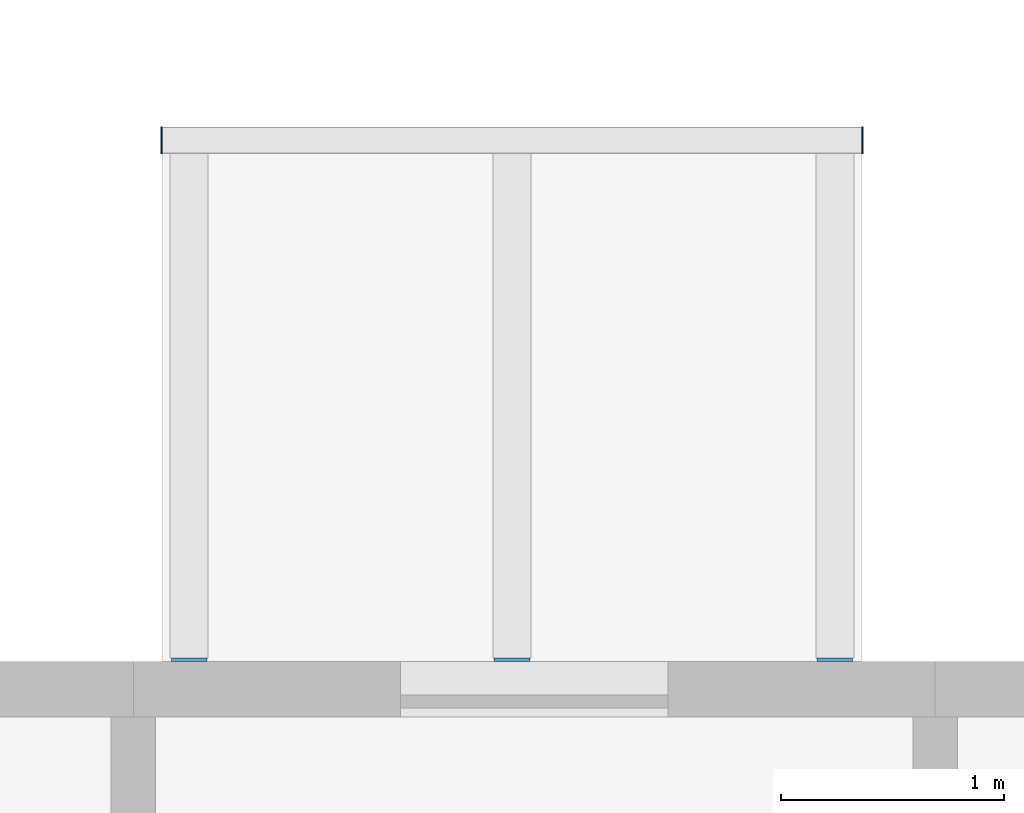
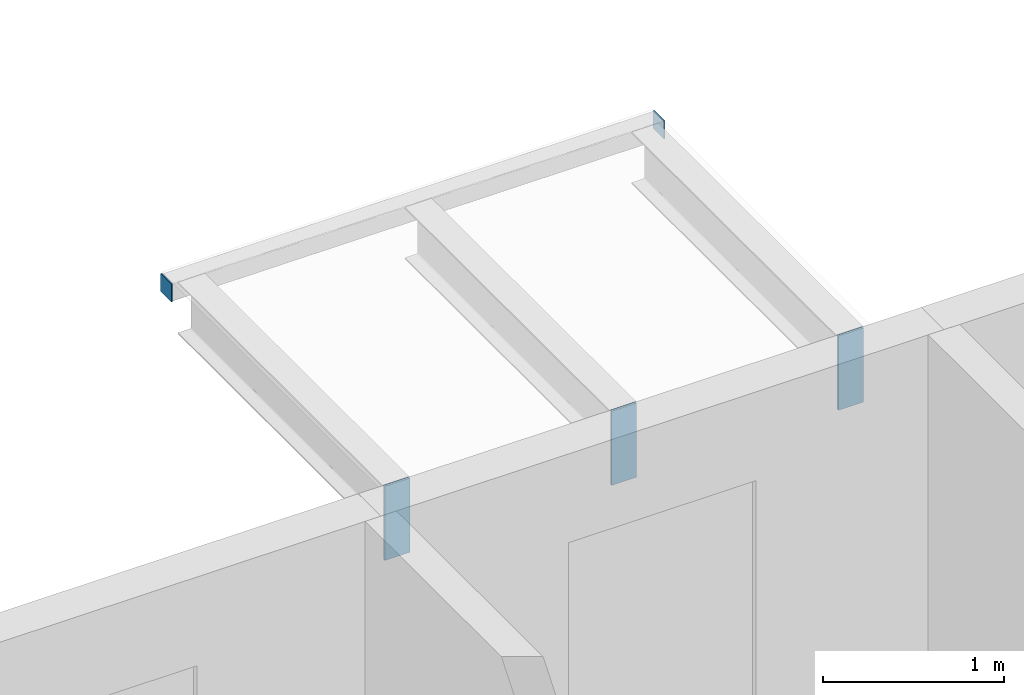
# One storey, part 65 of 94: 5 discrete accessories.
"""IFC4 building model written with IfcOpenShell, lengths in metres."""

from ifc_helpers import new_model, si_unit, direction, frame, origin, origin_2d, place, context, subcontext, project, spatial, rectangle, extrude, material, layer, layer_set, type_object, element, save


model = new_model("IFC4")

# Units and contexts
model_context = context("Model", 3, precision=1e-05, world=origin(), true_north=direction((0.0, 1.0)))
body_context = subcontext(model_context, "Body", "Model", "MODEL_VIEW")
ifc_project = project(units=[si_unit("LENGTHUNIT", "METRE"), si_unit("AREAUNIT", "SQUARE_METRE"), si_unit("VOLUMEUNIT", "CUBIC_METRE"), si_unit("PLANEANGLEUNIT", "RADIAN"), si_unit("MASSUNIT", "GRAM", prefix="KILO")], contexts=[model_context])

# Site, building, storey
site_placement = place(None, origin())
site = spatial("IfcSite", under=ifc_project, at=site_placement, CompositionType="ELEMENT")
building_placement = place(site_placement, origin())
building = spatial("IfcBuilding", under=site, at=building_placement, Name="Ridgestep Commons", CompositionType="ELEMENT")
storey_placement = place(building_placement, frame((0.0, 0.0, 24.0)))
storey = spatial("IfcBuildingStorey", under=building, at=storey_placement, Name="L08", CompositionType="ELEMENT", Elevation=24.0)

# Discrete accessories
ifc_material_1 = material(Name="Weathering steel S355J2W", Category="steel")
ifc_layer_1 = layer(ifc_material_1, 0.014892578125)
ifc_layer_set_1 = layer_set([ifc_layer_1], Name="Tray bracket plate 15")
discrete_accessory_type_1 = type_object("IfcDiscreteAccessoryType", Name="Tray bracket plate 15", PredefinedType="BRACKET", material=ifc_layer_set_1)
for number, where, z_axis, x_axis, name in (
    (1, (32.64990234375, 23.007568359375, 2.488525390625), (0.0, 0.0, 1.0), (1.0, 0.0, 0.0), "Tray bracket A2T2-09.1"),
    (2, (34.10009765625, 23.007568359375, 2.488525390625), (0.0, 0.0, 1.0), (1.0, 0.0, 0.0), "Tray bracket A2T2-09.2"),
    (3, (35.550048828125, 23.007568359375, 2.488525390625), (0.0, 0.0, 1.0), (1.0, 0.0, 0.0), "Tray bracket A2T2-09.3"),
):
    element("IfcDiscreteAccessory", number, at=place(storey_placement, frame(where, z_axis=z_axis, x_axis=x_axis)), inside=storey, type_object=discrete_accessory_type_1, Name=name, PredefinedType="BRACKET", context=body_context, shape_type="SweptSolid", body=[
        extrude(rectangle(XDim=0.159912109375, YDim=0.014892578125, at=origin_2d()), origin(), (0.0, 0.0, 1.0), 0.50146484375),
    ])
ifc_material_2 = material(Name="Weathering steel S355J2W", Category="steel")
ifc_layer_2 = layer(ifc_material_2, 0.008056640625)
ifc_layer_set_2 = layer_set([ifc_layer_2], Name="Tray edge member end plate 120 x 120 x 8")
discrete_accessory_type_2 = type_object("IfcDiscreteAccessoryType", Name="Tray edge member end plate 120 x 120 x 8", PredefinedType="BRACKET", material=ifc_layer_set_2)
for number, where, z_axis, x_axis, name in (
    (4, (32.52587890625, 25.340087890625, 2.869873046875), (0.0, 0.0, 1.0), (1.0, 0.0, 0.0), "Tray edge member end plate A2T2-09 west"),
    (5, (35.674072265625, 25.340087890625, 2.869873046875), (0.0, 0.0, 1.0), (1.0, 0.0, 0.0), "Tray edge member end plate A2T2-09 east"),
):
    element("IfcDiscreteAccessory", number, at=place(storey_placement, frame(where, z_axis=z_axis, x_axis=x_axis)), inside=storey, type_object=discrete_accessory_type_2, Name=name, PredefinedType="BRACKET", context=body_context, shape_type="SweptSolid", body=[
        extrude(rectangle(XDim=0.008056640625, YDim=0.1201171875, at=origin_2d()), origin(), (0.0, 0.0, 1.0), 0.1201171875),
    ])

save(model, "model.ifc")
